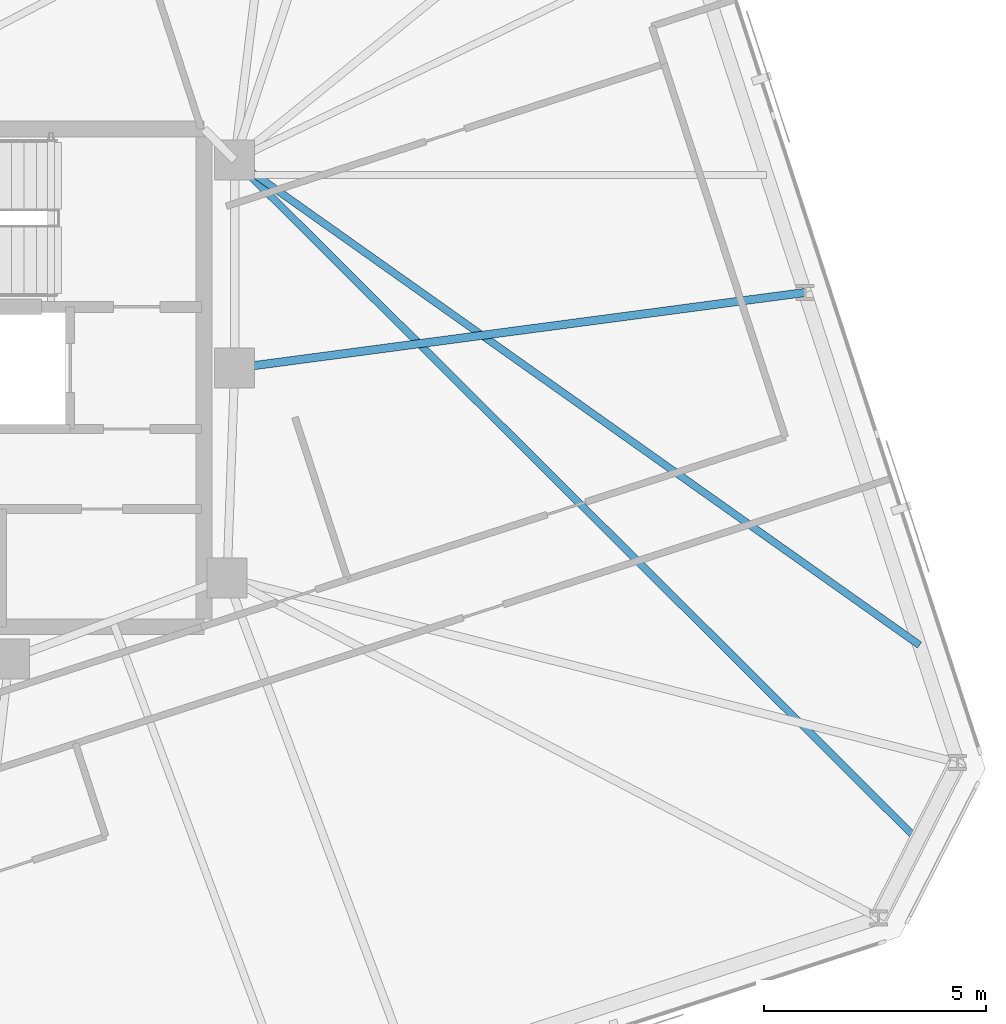
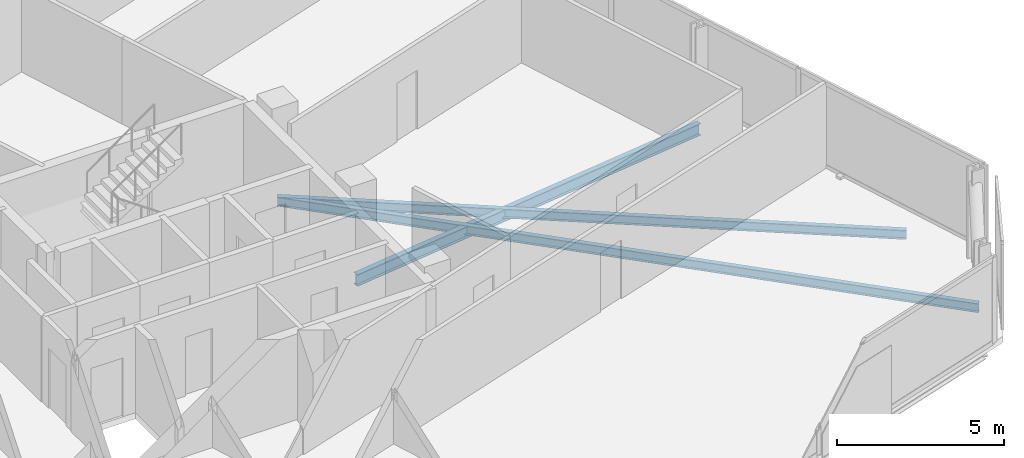
# One storey, part 8 of 19: 3 beams.
"""IFC4 building model written with IfcOpenShell, lengths in metres."""

from ifc_helpers import new_model, si_unit, direction, frame, origin, origin_2d, place, context, subcontext, project, spatial, i_section, extrude, material, material_profile, profile_set, type_object, element, save


model = new_model("IFC4")

# Units and contexts
model_context = context("Model", 3, precision=1e-05, world=origin(), true_north=direction((0.0, 1.0)))
body_context = subcontext(model_context, "Body", "Model", "MODEL_VIEW")
ifc_project = project(units=[si_unit("LENGTHUNIT", "METRE"), si_unit("AREAUNIT", "SQUARE_METRE"), si_unit("VOLUMEUNIT", "CUBIC_METRE"), si_unit("PLANEANGLEUNIT", "RADIAN"), si_unit("MASSUNIT", "GRAM", prefix="KILO")], contexts=[model_context])

# Site, building, storey
site_placement = place(None, origin())
site = spatial("IfcSite", under=ifc_project, at=site_placement, CompositionType="ELEMENT")
building_placement = place(site_placement, origin())
building = spatial("IfcBuilding", under=site, at=building_placement, Name="Menara Jurai Vektor", CompositionType="ELEMENT")
storey_placement = place(building_placement, frame((0.0, 0.0, 231.0)))
storey = spatial("IfcBuildingStorey", under=building, at=storey_placement, Name="L61", CompositionType="ELEMENT", Elevation=231.0)

# Beams
ifc_material = material(Name="Steel S355", Category="steel")
ifc_material_profile_1 = material_profile(ifc_material, i_section(OverallWidth=0.18505859375, OverallDepth=0.429931640625, WebThickness=0.010986328125, FlangeThickness=0.01806640625, at=origin_2d()), Name="PG 430x185x76")
ifc_profile_set_1 = profile_set([ifc_material_profile_1], Name="Steel S355")
beam_type_1 = type_object("IfcBeamType", Name="STR-BM-430", PredefinedType="BEAM", material=ifc_profile_set_1)
beam_1_placement = place(storey_placement, frame((28.07763671875, 1.92236328125, -0.43994140625), z_axis=(-0.99130829243, -0.131559375797, 0.0), x_axis=(0.131559375797, -0.99130829243, 0.0)))
element("IfcBeam", 1, at=beam_1_placement, inside=storey, type_object=beam_type_1, Name="Radial Floor Girder L61-E2", PredefinedType="BEAM", context=body_context, shape_type="SweptSolid", body=[
    extrude(i_section(OverallWidth=0.18505859375, OverallDepth=0.429931640625, WebThickness=0.010986328125, FlangeThickness=0.01806640625, at=origin_2d()), origin(), (0.0, 0.0, 1.0), 12.940185546875),
])
ifc_material_profile_2 = material_profile(ifc_material, i_section(OverallWidth=0.1650390625, OverallDepth=0.330078125, WebThickness=0.009033203125, FlangeThickness=0.013916015625, at=origin_2d()), Name="PG 330x165x46")
ifc_profile_set_2 = profile_set([ifc_material_profile_2], Name="Steel S355")
beam_type_2 = type_object("IfcBeamType", Name="STR-JS-330", PredefinedType="JOIST", material=ifc_profile_set_2)
beam_2_placement = place(storey_placement, frame((30.62353515625, -10.398681640625, -0.389892578125), z_axis=(-0.70883256901, 0.705376771032, 0.0), x_axis=(-0.705376771032, -0.70883256901, 0.0)))
element("IfcBeam", 2, at=beam_2_placement, inside=storey, type_object=beam_type_2, Name="Radial Secondary Floor Joist L61-JS09", PredefinedType="JOIST", context=body_context, shape_type="SweptSolid", body=[
    extrude(i_section(OverallWidth=0.1650390625, OverallDepth=0.330078125, WebThickness=0.009033203125, FlangeThickness=0.013916015625, at=origin_2d()), origin(), (0.0, 0.0, 1.0), 21.6884765625),
])
beam_3_placement = place(storey_placement, frame((30.654296875, -6.00830078125, -0.389892578125), z_axis=(-0.816103783972, 0.577905367501, 0.0), x_axis=(-0.577905367501, -0.816103783972, 0.0)))
element("IfcBeam", 3, at=beam_3_placement, inside=storey, type_object=beam_type_2, Name="Radial Secondary Floor Joist L61-JS10", PredefinedType="JOIST", context=body_context, shape_type="SweptSolid", body=[
    extrude(i_section(OverallWidth=0.1650390625, OverallDepth=0.330078125, WebThickness=0.009033203125, FlangeThickness=0.013916015625, at=origin_2d()), origin(), (0.0, 0.0, 1.0), 18.87548828125),
])

save(model, "model.ifc")
